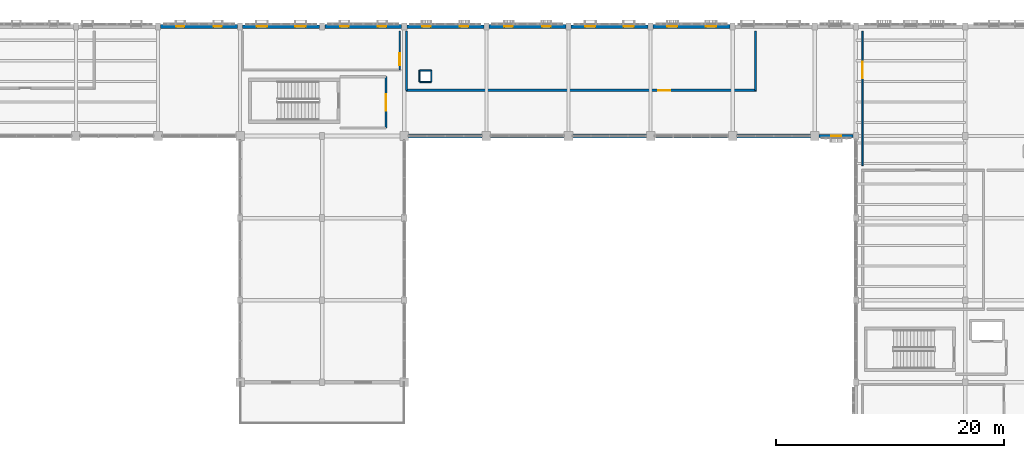
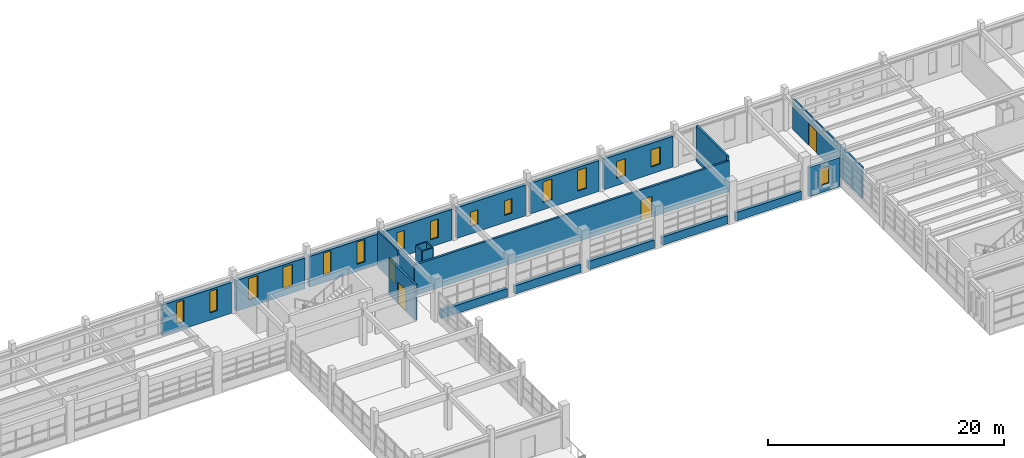
# One storey, part 47 of 69: 23 walls, 15 windows, 4 doors, 19 openings.
"""IFC4 building model written with IfcOpenShell, lengths in metres."""

from ifc_helpers import new_model, si_unit, direction, frame, frame_2d, origin, place, context, subcontext, project, spatial, rectangle, extrude, material, layer, layer_set, type_object, element, fill, save


model = new_model("IFC4")

# Units and contexts
model_context = context("Model", 3, precision=1e-05, world=origin(), true_north=direction((0.0, 1.0)))
body_context = subcontext(model_context, "Body", "Model", "MODEL_VIEW")
ifc_project = project(units=[si_unit("LENGTHUNIT", "METRE"), si_unit("AREAUNIT", "SQUARE_METRE"), si_unit("VOLUMEUNIT", "CUBIC_METRE"), si_unit("PLANEANGLEUNIT", "RADIAN"), si_unit("MASSUNIT", "GRAM", prefix="KILO")], contexts=[model_context])

# Site, building, storey
site_placement = place(None, origin())
site = spatial("IfcSite", under=ifc_project, at=site_placement, CompositionType="ELEMENT")
building_placement = place(site_placement, origin())
building = spatial("IfcBuilding", under=site, at=building_placement, Name="Nzembalo Square Collegiate School", CompositionType="ELEMENT")
storey_placement = place(building_placement, frame((0.0, 0.0, 5.10009765625)))
storey = spatial("IfcBuildingStorey", under=building, at=storey_placement, Name="L01", CompositionType="ELEMENT", Elevation=5.10009765625)

# Wall, openings, windows
ifc_material_1 = material(Name="Concrete C35/45", Category="concrete")
ifc_layer_1 = layer(ifc_material_1, 0.320068359375, Name="Concrete C35/45")
ifc_layer_set_1 = layer_set([ifc_layer_1], Name="Concrete C35/45")
wall_type_1 = type_object("IfcWallType", Name="W03", PredefinedType="SOLIDWALL", material=ifc_layer_set_1)
wall_1_placement = place(storey_placement, frame((69.826904296875, 114.0, 0.0), z_axis=(0.0, 0.0, 1.0), x_axis=(1.0, 0.0, 0.0)))
wall_1 = element("IfcWall", 1, at=wall_1_placement, inside=storey, type_object=wall_type_1, Name="Exterior wall W03 L01", PredefinedType="SOLIDWALL", context=body_context, shape_type="SweptSolid", body=[
    extrude(rectangle(XDim=6.74609375, YDim=0.320068359375, at=frame_2d((3.373046875, 0.0))), origin(), (0.0, 0.0, 1.0), 3.183837890625),
])
opening_1_placement = place(wall_1_placement, frame((1.366455078125, 0.0, 0.75)))
opening_1 = element("IfcOpeningElement", 2, at=opening_1_placement, cuts=wall_1, Name="Opening WN-L01-288", PredefinedType="OPENING", context=body_context, shape_type="SweptSolid", body=[
    extrude(rectangle(XDim=0.719970703125, YDim=2.239990234375, at=frame_2d((0.35986328125, 1.1201171875))), frame((0.0, 0.169921875, 0.0), z_axis=(0.0, -1.0, 0.0), x_axis=(1.0, 0.0, 0.0)), (0.0, 0.0, 1.0), 0.340087890625),
])
opening_2_placement = place(wall_1_placement, frame((4.659423828125, 0.0, 0.75)))
opening_2 = element("IfcOpeningElement", 3, at=opening_2_placement, cuts=wall_1, Name="Opening WN-L01-289", PredefinedType="OPENING", context=body_context, shape_type="SweptSolid", body=[
    extrude(rectangle(XDim=0.719970703125, YDim=2.239990234375, at=frame_2d((0.35986328125, 1.1201171875))), frame((0.0, 0.169921875, 0.0), z_axis=(0.0, -1.0, 0.0), x_axis=(1.0, 0.0, 0.0)), (0.0, 0.0, 1.0), 0.340087890625),
])
ifc_material_2 = material(Name="Powder-coated aluminium and low-E double glazing", Category="aluminium")
window_type_1 = type_object("IfcWindowType", Name="WN67", PartitioningType="SINGLE_PANEL", PredefinedType="WINDOW", material=ifc_material_2)
window_1_placement = place(opening_1_placement, origin())
window_1 = element("IfcWindow", 4, at=window_1_placement, inside=storey, type_object=window_type_1, Name="Lancet window WN-L01-288", OverallHeight=2.239990234375, OverallWidth=0.719970703125, PartitioningType="SINGLE_PANEL", PredefinedType="WINDOW", context=body_context, shape_type="SweptSolid", body=[
    extrude(rectangle(XDim=0.719970703125, YDim=2.239990234375, at=frame_2d((0.35986328125, 1.1201171875))), frame((0.0, 0.030029296875, 0.0), z_axis=(0.0, -1.0, 0.0), x_axis=(1.0, 0.0, 0.0)), (0.0, 0.0, 1.0), 0.06005859375),
])
fill(opening_1, window_1)
window_2_placement = place(opening_2_placement, origin())
window_2 = element("IfcWindow", 5, at=window_2_placement, inside=storey, type_object=window_type_1, Name="Lancet window WN-L01-289", OverallHeight=2.239990234375, OverallWidth=0.719970703125, PartitioningType="SINGLE_PANEL", PredefinedType="WINDOW", context=body_context, shape_type="SweptSolid", body=[
    extrude(rectangle(XDim=0.719970703125, YDim=2.239990234375, at=frame_2d((0.35986328125, 1.1201171875))), frame((0.0, 0.030029296875, 0.0), z_axis=(0.0, -1.0, 0.0), x_axis=(1.0, 0.0, 0.0)), (0.0, 0.0, 1.0), 0.06005859375),
])
fill(opening_2, window_2)

wall_2_placement = place(storey_placement, frame((84.22705078125, 114.0, 0.0), z_axis=(0.0, 0.0, 1.0), x_axis=(1.0, 0.0, 0.0)))
wall_2 = element("IfcWall", 6, at=wall_2_placement, inside=storey, type_object=wall_type_1, Name="Exterior wall W03 L01", PredefinedType="SOLIDWALL", context=body_context, shape_type="SweptSolid", body=[
    extrude(rectangle(XDim=6.745849609375, YDim=0.320068359375, at=frame_2d((3.373046875, 0.0))), origin(), (0.0, 0.0, 1.0), 3.183837890625),
])
opening_3_placement = place(wall_2_placement, frame((1.343994140625, 0.0, 0.75)))
opening_3 = element("IfcOpeningElement", 7, at=opening_3_placement, cuts=wall_2, Name="Opening WN-L01-296", PredefinedType="OPENING", context=body_context, shape_type="SweptSolid", body=[
    extrude(rectangle(XDim=0.75, YDim=2.300048828125, at=frame_2d((0.375, 1.14990234375))), frame((0.0, 0.169921875, 0.0), z_axis=(0.0, -1.0, 0.0), x_axis=(1.0, 0.0, 0.0)), (0.0, 0.0, 1.0), 0.340087890625),
])
opening_4_placement = place(wall_2_placement, frame((4.652099609375, 0.0, 0.75)))
opening_4 = element("IfcOpeningElement", 8, at=opening_4_placement, cuts=wall_2, Name="Opening WN-L01-297", PredefinedType="OPENING", context=body_context, shape_type="SweptSolid", body=[
    extrude(rectangle(XDim=0.75, YDim=2.300048828125, at=frame_2d((0.375, 1.14990234375))), frame((0.0, 0.169921875, 0.0), z_axis=(0.0, -1.0, 0.0), x_axis=(1.0, 0.0, 0.0)), (0.0, 0.0, 1.0), 0.340087890625),
])
ifc_material_3 = material(Name="Powder-coated aluminium and low-E double glazing", Category="aluminium")
window_type_2 = type_object("IfcWindowType", Name="WN01", PartitioningType="SINGLE_PANEL", PredefinedType="WINDOW", material=ifc_material_3)
window_3_placement = place(opening_3_placement, origin())
window_3 = element("IfcWindow", 9, at=window_3_placement, inside=storey, type_object=window_type_2, Name="Lancet window WN-L01-296", OverallHeight=2.300048828125, OverallWidth=0.75, PartitioningType="SINGLE_PANEL", PredefinedType="WINDOW", context=body_context, shape_type="SweptSolid", body=[
    extrude(rectangle(XDim=0.75, YDim=2.300048828125, at=frame_2d((0.375, 1.14990234375))), frame((0.0, 0.030029296875, 0.0), z_axis=(0.0, -1.0, 0.0), x_axis=(1.0, 0.0, 0.0)), (0.0, 0.0, 1.0), 0.06005859375),
])
fill(opening_3, window_3)
window_4_placement = place(opening_4_placement, origin())
window_4 = element("IfcWindow", 10, at=window_4_placement, inside=storey, type_object=window_type_2, Name="Lancet window WN-L01-297", OverallHeight=2.300048828125, OverallWidth=0.75, PartitioningType="SINGLE_PANEL", PredefinedType="WINDOW", context=body_context, shape_type="SweptSolid", body=[
    extrude(rectangle(XDim=0.75, YDim=2.300048828125, at=frame_2d((0.375, 1.14990234375))), frame((0.0, 0.030029296875, 0.0), z_axis=(0.0, -1.0, 0.0), x_axis=(1.0, 0.0, 0.0)), (0.0, 0.0, 1.0), 0.06005859375),
])
fill(opening_4, window_4)

wall_3_placement = place(storey_placement, frame((98.626953125, 114.0, 0.0), z_axis=(0.0, 0.0, 1.0), x_axis=(1.0, 0.0, 0.0)))
wall_3 = element("IfcWall", 11, at=wall_3_placement, inside=storey, type_object=wall_type_1, Name="Exterior wall W03 L01", PredefinedType="SOLIDWALL", context=body_context, shape_type="SweptSolid", body=[
    extrude(rectangle(XDim=6.74609375, YDim=0.320068359375, at=frame_2d((3.373046875, 0.0))), origin(), (0.0, 0.0, 1.0), 3.183837890625),
])
opening_5_placement = place(wall_3_placement, frame((1.343994140625, 0.0, 0.75)))
opening_5 = element("IfcOpeningElement", 12, at=opening_5_placement, cuts=wall_3, Name="Opening WN-L01-300", PredefinedType="OPENING", context=body_context, shape_type="SweptSolid", body=[
    extrude(rectangle(XDim=0.75, YDim=1.5, at=frame_2d((0.375, 0.75))), frame((0.0, 0.169921875, 0.0), z_axis=(0.0, -1.0, 0.0), x_axis=(1.0, 0.0, 0.0)), (0.0, 0.0, 1.0), 0.340087890625),
])
opening_6_placement = place(wall_3_placement, frame((4.652099609375, 0.0, 0.75)))
opening_6 = element("IfcOpeningElement", 13, at=opening_6_placement, cuts=wall_3, Name="Opening WN-L01-301", PredefinedType="OPENING", context=body_context, shape_type="SweptSolid", body=[
    extrude(rectangle(XDim=0.75, YDim=1.5, at=frame_2d((0.375, 0.75))), frame((0.0, 0.169921875, 0.0), z_axis=(0.0, -1.0, 0.0), x_axis=(1.0, 0.0, 0.0)), (0.0, 0.0, 1.0), 0.340087890625),
])
ifc_material_4 = material(Name="Powder-coated aluminium and low-E double glazing", Category="aluminium")
window_type_3 = type_object("IfcWindowType", Name="WN05", PartitioningType="SINGLE_PANEL", PredefinedType="WINDOW", material=ifc_material_4)
window_5_placement = place(opening_5_placement, origin())
window_5 = element("IfcWindow", 14, at=window_5_placement, inside=storey, type_object=window_type_3, Name="Lancet window WN-L01-300", OverallHeight=1.5, OverallWidth=0.75, PartitioningType="SINGLE_PANEL", PredefinedType="WINDOW", context=body_context, shape_type="SweptSolid", body=[
    extrude(rectangle(XDim=0.75, YDim=1.5, at=frame_2d((0.375, 0.75))), frame((0.0, 0.030029296875, 0.0), z_axis=(0.0, -1.0, 0.0), x_axis=(1.0, 0.0, 0.0)), (0.0, 0.0, 1.0), 0.06005859375),
])
fill(opening_5, window_5)
window_6_placement = place(opening_6_placement, origin())
window_6 = element("IfcWindow", 15, at=window_6_placement, inside=storey, type_object=window_type_3, Name="Lancet window WN-L01-301", OverallHeight=1.5, OverallWidth=0.75, PartitioningType="SINGLE_PANEL", PredefinedType="WINDOW", context=body_context, shape_type="SweptSolid", body=[
    extrude(rectangle(XDim=0.75, YDim=1.5, at=frame_2d((0.375, 0.75))), frame((0.0, 0.030029296875, 0.0), z_axis=(0.0, -1.0, 0.0), x_axis=(1.0, 0.0, 0.0)), (0.0, 0.0, 1.0), 0.06005859375),
])
fill(opening_6, window_6)

wall_4_placement = place(storey_placement, frame((113.027099609375, 114.0, 0.0), z_axis=(0.0, 0.0, 1.0), x_axis=(1.0, 0.0, 0.0)))
wall_4 = element("IfcWall", 16, at=wall_4_placement, inside=storey, type_object=wall_type_1, Name="Exterior wall W03 L01", PredefinedType="SOLIDWALL", context=body_context, shape_type="SweptSolid", body=[
    extrude(rectangle(XDim=6.745849609375, YDim=0.320068359375, at=frame_2d((3.373046875, 0.0))), origin(), (0.0, 0.0, 1.0), 3.183837890625),
])
opening_7_placement = place(wall_4_placement, frame((1.2314453125, 0.0, 0.75)))
opening_7 = element("IfcOpeningElement", 17, at=opening_7_placement, cuts=wall_4, Name="Opening WN-L01-304", PredefinedType="OPENING", context=body_context, shape_type="SweptSolid", body=[
    extrude(rectangle(XDim=0.89990234375, YDim=1.75, at=frame_2d((0.449951171875, 0.875))), frame((0.0, 0.169921875, 0.0), z_axis=(0.0, -1.0, 0.0), x_axis=(1.0, 0.0, 0.0)), (0.0, 0.0, 1.0), 0.340087890625),
])
opening_8_placement = place(wall_4_placement, frame((4.614501953125, 0.0, 0.75)))
opening_8 = element("IfcOpeningElement", 18, at=opening_8_placement, cuts=wall_4, Name="Opening WN-L01-305", PredefinedType="OPENING", context=body_context, shape_type="SweptSolid", body=[
    extrude(rectangle(XDim=0.89990234375, YDim=1.75, at=frame_2d((0.449951171875, 0.875))), frame((0.0, 0.169921875, 0.0), z_axis=(0.0, -1.0, 0.0), x_axis=(1.0, 0.0, 0.0)), (0.0, 0.0, 1.0), 0.340087890625),
])
ifc_material_5 = material(Name="Powder-coated aluminium and low-E double glazing", Category="aluminium")
window_type_4 = type_object("IfcWindowType", Name="WN09", PartitioningType="SINGLE_PANEL", PredefinedType="WINDOW", material=ifc_material_5)
window_7_placement = place(opening_7_placement, origin())
window_7 = element("IfcWindow", 19, at=window_7_placement, inside=storey, type_object=window_type_4, Name="Lancet window WN-L01-304", OverallHeight=1.75, OverallWidth=0.89990234375, PartitioningType="SINGLE_PANEL", PredefinedType="WINDOW", context=body_context, shape_type="SweptSolid", body=[
    extrude(rectangle(XDim=0.89990234375, YDim=1.75, at=frame_2d((0.449951171875, 0.875))), frame((0.0, 0.030029296875, 0.0), z_axis=(0.0, -1.0, 0.0), x_axis=(1.0, 0.0, 0.0)), (0.0, 0.0, 1.0), 0.06005859375),
])
fill(opening_7, window_7)
window_8_placement = place(opening_8_placement, origin())
window_8 = element("IfcWindow", 20, at=window_8_placement, inside=storey, type_object=window_type_4, Name="Lancet window WN-L01-305", OverallHeight=1.75, OverallWidth=0.89990234375, PartitioningType="SINGLE_PANEL", PredefinedType="WINDOW", context=body_context, shape_type="SweptSolid", body=[
    extrude(rectangle(XDim=0.89990234375, YDim=1.75, at=frame_2d((0.449951171875, 0.875))), frame((0.0, 0.030029296875, 0.0), z_axis=(0.0, -1.0, 0.0), x_axis=(1.0, 0.0, 0.0)), (0.0, 0.0, 1.0), 0.06005859375),
])
fill(opening_8, window_8)

# Walls
for number, where, z_axis, x_axis, name in (
    (21, (91.576904296875, 104.39990234375, 0.0), (0.0, 0.0, 1.0), (1.0, 0.0, 0.0), "Spandrel wall W03 L01"),
    (22, (105.97705078125, 104.39990234375, 0.0), (0.0, 0.0, 1.0), (1.0, 0.0, 0.0), "Spandrel wall W03 L01"),
    (23, (120.376953125, 104.39990234375, 0.0), (0.0, 0.0, 1.0), (1.0, 0.0, 0.0), "Spandrel wall W03 L01"),
):
    element("IfcWall", number, at=place(storey_placement, frame(where, z_axis=z_axis, x_axis=x_axis)), inside=storey, type_object=wall_type_1, Name=name, PredefinedType="SOLIDWALL", context=body_context, shape_type="SweptSolid", body=[
        extrude(rectangle(XDim=6.446044921875, YDim=0.320068359375, at=frame_2d((3.22314453125, 0.0))), origin(), (0.0, 0.0, 1.0), 0.849853515625),
    ])

# Wall, openings, windows
ifc_material_6 = material(Name="Concrete C35/45", Category="concrete")
ifc_layer_2 = layer(ifc_material_6, 0.300048828125, Name="Concrete C35/45")
ifc_layer_set_2 = layer_set([ifc_layer_2], Name="Concrete C35/45")
wall_type_2 = type_object("IfcWallType", Name="W04", PredefinedType="SOLIDWALL", material=ifc_layer_set_2)
wall_5_placement = place(storey_placement, frame((77.027099609375, 114.0, 0.0), z_axis=(0.0, 0.0, 1.0), x_axis=(1.0, 0.0, 0.0)))
wall_5 = element("IfcWall", 24, at=wall_5_placement, inside=storey, type_object=wall_type_2, Name="Exterior wall W04 L01", PredefinedType="SOLIDWALL", context=body_context, shape_type="SweptSolid", body=[
    extrude(rectangle(XDim=6.745849609375, YDim=0.300048828125, at=frame_2d((3.373046875, 0.0))), origin(), (0.0, 0.0, 1.0), 3.183837890625),
])
opening_9_placement = place(wall_5_placement, frame((1.216552734375, 0.0, 0.75)))
opening_9 = element("IfcOpeningElement", 25, at=opening_9_placement, cuts=wall_5, Name="Opening WN-L01-290", PredefinedType="OPENING", context=body_context, shape_type="SweptSolid", body=[
    extrude(rectangle(XDim=0.919921875, YDim=2.219970703125, at=frame_2d((0.4599609375, 1.10986328125))), frame((0.0, 0.16015625, 0.0), z_axis=(0.0, -1.0, 0.0), x_axis=(1.0, 0.0, 0.0)), (0.0, 0.0, 1.0), 0.320068359375),
])
opening_10_placement = place(wall_5_placement, frame((4.609619140625, 0.0, 0.75)))
opening_10 = element("IfcOpeningElement", 26, at=opening_10_placement, cuts=wall_5, Name="Opening WN-L01-291", PredefinedType="OPENING", context=body_context, shape_type="SweptSolid", body=[
    extrude(rectangle(XDim=0.919921875, YDim=2.219970703125, at=frame_2d((0.4599609375, 1.10986328125))), frame((0.0, 0.16015625, 0.0), z_axis=(0.0, -1.0, 0.0), x_axis=(1.0, 0.0, 0.0)), (0.0, 0.0, 1.0), 0.320068359375),
])
ifc_material_7 = material(Name="Powder-coated aluminium and low-E double glazing", Category="aluminium")
window_type_5 = type_object("IfcWindowType", Name="WN69", PartitioningType="SINGLE_PANEL", PredefinedType="WINDOW", material=ifc_material_7)
window_9_placement = place(opening_9_placement, origin())
window_9 = element("IfcWindow", 27, at=window_9_placement, inside=storey, type_object=window_type_5, Name="Lancet window WN-L01-290", OverallHeight=2.219970703125, OverallWidth=0.919921875, PartitioningType="SINGLE_PANEL", PredefinedType="WINDOW", context=body_context, shape_type="SweptSolid", body=[
    extrude(rectangle(XDim=0.919921875, YDim=2.219970703125, at=frame_2d((0.4599609375, 1.10986328125))), frame((0.0, 0.030029296875, 0.0), z_axis=(0.0, -1.0, 0.0), x_axis=(1.0, 0.0, 0.0)), (0.0, 0.0, 1.0), 0.06005859375),
])
fill(opening_9, window_9)
window_10_placement = place(opening_10_placement, origin())
window_10 = element("IfcWindow", 28, at=window_10_placement, inside=storey, type_object=window_type_5, Name="Lancet window WN-L01-291", OverallHeight=2.219970703125, OverallWidth=0.919921875, PartitioningType="SINGLE_PANEL", PredefinedType="WINDOW", context=body_context, shape_type="SweptSolid", body=[
    extrude(rectangle(XDim=0.919921875, YDim=2.219970703125, at=frame_2d((0.4599609375, 1.10986328125))), frame((0.0, 0.030029296875, 0.0), z_axis=(0.0, -1.0, 0.0), x_axis=(1.0, 0.0, 0.0)), (0.0, 0.0, 1.0), 0.06005859375),
])
fill(opening_10, window_10)

wall_6_placement = place(storey_placement, frame((91.427001953125, 114.0, 0.0), z_axis=(0.0, 0.0, 1.0), x_axis=(1.0, 0.0, 0.0)))
wall_6 = element("IfcWall", 29, at=wall_6_placement, inside=storey, type_object=wall_type_2, Name="Exterior wall W04 L01", PredefinedType="SOLIDWALL", context=body_context, shape_type="SweptSolid", body=[
    extrude(rectangle(XDim=6.74609375, YDim=0.300048828125, at=frame_2d((3.373046875, 0.0))), origin(), (0.0, 0.0, 1.0), 3.183837890625),
])
opening_11_placement = place(wall_6_placement, frame((1.343994140625, 0.0, 0.75)))
opening_11 = element("IfcOpeningElement", 30, at=opening_11_placement, cuts=wall_6, Name="Opening WN-L01-298", PredefinedType="OPENING", context=body_context, shape_type="SweptSolid", body=[
    extrude(rectangle(XDim=0.75, YDim=1.89990234375, at=frame_2d((0.375, 0.949951171875))), frame((0.0, 0.16015625, 0.0), z_axis=(0.0, -1.0, 0.0), x_axis=(1.0, 0.0, 0.0)), (0.0, 0.0, 1.0), 0.320068359375),
])
opening_12_placement = place(wall_6_placement, frame((4.652099609375, 0.0, 0.75)))
opening_12 = element("IfcOpeningElement", 31, at=opening_12_placement, cuts=wall_6, Name="Opening WN-L01-299", PredefinedType="OPENING", context=body_context, shape_type="SweptSolid", body=[
    extrude(rectangle(XDim=0.75, YDim=1.89990234375, at=frame_2d((0.375, 0.949951171875))), frame((0.0, 0.16015625, 0.0), z_axis=(0.0, -1.0, 0.0), x_axis=(1.0, 0.0, 0.0)), (0.0, 0.0, 1.0), 0.320068359375),
])
ifc_material_8 = material(Name="Powder-coated aluminium and low-E double glazing", Category="aluminium")
window_type_6 = type_object("IfcWindowType", Name="WN03", PartitioningType="SINGLE_PANEL", PredefinedType="WINDOW", material=ifc_material_8)
window_11_placement = place(opening_11_placement, origin())
window_11 = element("IfcWindow", 32, at=window_11_placement, inside=storey, type_object=window_type_6, Name="Lancet window WN-L01-298", OverallHeight=1.89990234375, OverallWidth=0.75, PartitioningType="SINGLE_PANEL", PredefinedType="WINDOW", context=body_context, shape_type="SweptSolid", body=[
    extrude(rectangle(XDim=0.75, YDim=1.89990234375, at=frame_2d((0.375, 0.949951171875))), frame((0.0, 0.030029296875, 0.0), z_axis=(0.0, -1.0, 0.0), x_axis=(1.0, 0.0, 0.0)), (0.0, 0.0, 1.0), 0.06005859375),
])
fill(opening_11, window_11)
window_12_placement = place(opening_12_placement, origin())
window_12 = element("IfcWindow", 33, at=window_12_placement, inside=storey, type_object=window_type_6, Name="Lancet window WN-L01-299", OverallHeight=1.89990234375, OverallWidth=0.75, PartitioningType="SINGLE_PANEL", PredefinedType="WINDOW", context=body_context, shape_type="SweptSolid", body=[
    extrude(rectangle(XDim=0.75, YDim=1.89990234375, at=frame_2d((0.375, 0.949951171875))), frame((0.0, 0.030029296875, 0.0), z_axis=(0.0, -1.0, 0.0), x_axis=(1.0, 0.0, 0.0)), (0.0, 0.0, 1.0), 0.06005859375),
])
fill(opening_12, window_12)

wall_7_placement = place(storey_placement, frame((105.826904296875, 114.0, 0.0), z_axis=(0.0, 0.0, 1.0), x_axis=(1.0, 0.0, 0.0)))
wall_7 = element("IfcWall", 34, at=wall_7_placement, inside=storey, type_object=wall_type_2, Name="Exterior wall W04 L01", PredefinedType="SOLIDWALL", context=body_context, shape_type="SweptSolid", body=[
    extrude(rectangle(XDim=6.74609375, YDim=0.300048828125, at=frame_2d((3.373046875, 0.0))), origin(), (0.0, 0.0, 1.0), 3.183837890625),
])
opening_13_placement = place(wall_7_placement, frame((1.2314453125, 0.0, 0.75)))
opening_13 = element("IfcOpeningElement", 35, at=opening_13_placement, cuts=wall_7, Name="Opening WN-L01-302", PredefinedType="OPENING", context=body_context, shape_type="SweptSolid", body=[
    extrude(rectangle(XDim=0.89990234375, YDim=2.14990234375, at=frame_2d((0.449951171875, 1.074951171875))), frame((0.0, 0.16015625, 0.0), z_axis=(0.0, -1.0, 0.0), x_axis=(1.0, 0.0, 0.0)), (0.0, 0.0, 1.0), 0.320068359375),
])
opening_14_placement = place(wall_7_placement, frame((4.614501953125, 0.0, 0.75)))
opening_14 = element("IfcOpeningElement", 36, at=opening_14_placement, cuts=wall_7, Name="Opening WN-L01-303", PredefinedType="OPENING", context=body_context, shape_type="SweptSolid", body=[
    extrude(rectangle(XDim=0.89990234375, YDim=2.14990234375, at=frame_2d((0.449951171875, 1.074951171875))), frame((0.0, 0.16015625, 0.0), z_axis=(0.0, -1.0, 0.0), x_axis=(1.0, 0.0, 0.0)), (0.0, 0.0, 1.0), 0.320068359375),
])
ifc_material_9 = material(Name="Powder-coated aluminium and low-E double glazing", Category="aluminium")
window_type_7 = type_object("IfcWindowType", Name="WN07", PartitioningType="SINGLE_PANEL", PredefinedType="WINDOW", material=ifc_material_9)
window_13_placement = place(opening_13_placement, origin())
window_13 = element("IfcWindow", 37, at=window_13_placement, inside=storey, type_object=window_type_7, Name="Lancet window WN-L01-302", OverallHeight=2.14990234375, OverallWidth=0.89990234375, PartitioningType="SINGLE_PANEL", PredefinedType="WINDOW", context=body_context, shape_type="SweptSolid", body=[
    extrude(rectangle(XDim=0.89990234375, YDim=2.14990234375, at=frame_2d((0.449951171875, 1.074951171875))), frame((0.0, 0.030029296875, 0.0), z_axis=(0.0, -1.0, 0.0), x_axis=(1.0, 0.0, 0.0)), (0.0, 0.0, 1.0), 0.06005859375),
])
fill(opening_13, window_13)
window_14_placement = place(opening_14_placement, origin())
window_14 = element("IfcWindow", 38, at=window_14_placement, inside=storey, type_object=window_type_7, Name="Lancet window WN-L01-303", OverallHeight=2.14990234375, OverallWidth=0.89990234375, PartitioningType="SINGLE_PANEL", PredefinedType="WINDOW", context=body_context, shape_type="SweptSolid", body=[
    extrude(rectangle(XDim=0.89990234375, YDim=2.14990234375, at=frame_2d((0.449951171875, 1.074951171875))), frame((0.0, 0.030029296875, 0.0), z_axis=(0.0, -1.0, 0.0), x_axis=(1.0, 0.0, 0.0)), (0.0, 0.0, 1.0), 0.06005859375),
])
fill(opening_14, window_14)

# Walls
wall_8_placement = place(storey_placement, frame((98.777099609375, 104.39990234375, 0.0), z_axis=(0.0, 0.0, 1.0), x_axis=(1.0, 0.0, 0.0)))
element("IfcWall", 39, at=wall_8_placement, inside=storey, type_object=wall_type_2, Name="Spandrel wall W04 L01", PredefinedType="SOLIDWALL", context=body_context, shape_type="SweptSolid", body=[
    extrude(rectangle(XDim=6.44580078125, YDim=0.300048828125, at=frame_2d((3.222900390625, 0.0))), origin(), (0.0, 0.0, 1.0), 0.849853515625),
])
wall_9_placement = place(storey_placement, frame((113.177001953125, 104.39990234375, 0.0), z_axis=(0.0, 0.0, 1.0), x_axis=(1.0, 0.0, 0.0)))
element("IfcWall", 40, at=wall_9_placement, inside=storey, type_object=wall_type_2, Name="Spandrel wall W04 L01", PredefinedType="SOLIDWALL", context=body_context, shape_type="SweptSolid", body=[
    extrude(rectangle(XDim=6.446044921875, YDim=0.300048828125, at=frame_2d((3.22314453125, 0.0))), origin(), (0.0, 0.0, 1.0), 0.849853515625),
])

# Wall, opening, window
wall_10_placement = place(storey_placement, frame((127.576904296875, 104.39990234375, 0.0), z_axis=(0.0, 0.0, 1.0), x_axis=(1.0, 0.0, 0.0)))
wall_10 = element("IfcWall", 41, at=wall_10_placement, inside=storey, type_object=wall_type_2, Name="Exterior wall W04 L01", PredefinedType="SOLIDWALL", context=body_context, shape_type="SweptSolid", body=[
    extrude(rectangle(XDim=2.99609375, YDim=0.300048828125, at=frame_2d((1.498046875, 0.0))), origin(), (0.0, 0.0, 1.0), 3.02392578125),
])
opening_15_placement = place(wall_10_placement, frame((1.048095703125, 0.0, 0.75)))
opening_15 = element("IfcOpeningElement", 42, at=opening_15_placement, cuts=wall_10, Name="Opening WN-L01-378", PredefinedType="OPENING", context=body_context, shape_type="SweptSolid", body=[
    extrude(rectangle(XDim=0.89990234375, YDim=1.75, at=frame_2d((0.449951171875, 0.875))), frame((0.0, 0.16015625, 0.0), z_axis=(0.0, -1.0, 0.0), x_axis=(1.0, 0.0, 0.0)), (0.0, 0.0, 1.0), 0.320068359375),
])
window_15_placement = place(opening_15_placement, origin())
window_15 = element("IfcWindow", 43, at=window_15_placement, inside=storey, type_object=window_type_4, Name="Lancet window WN-L01-378", OverallHeight=1.75, OverallWidth=0.89990234375, PartitioningType="SINGLE_PANEL", PredefinedType="WINDOW", context=body_context, shape_type="SweptSolid", body=[
    extrude(rectangle(XDim=0.89990234375, YDim=1.75, at=frame_2d((0.449951171875, 0.875))), frame((0.0, 0.030029296875, 0.0), z_axis=(0.0, -1.0, 0.0), x_axis=(1.0, 0.0, 0.0)), (0.0, 0.0, 1.0), 0.06005859375),
])
fill(opening_15, window_15)

# Wall, opening, door
ifc_material_10 = material(Name="Concrete blockwork C25/30", Category="masonry")
ifc_layer_3 = layer(ifc_material_10, 0.199951171875, Name="Concrete blockwork C25/30")
ifc_layer_set_3 = layer_set([ifc_layer_3], Name="Concrete blockwork C25/30")
wall_type_3 = type_object("IfcWallType", Name="W11", PredefinedType="PARTITIONING", material=ifc_layer_set_3)
wall_11_placement = place(storey_placement, frame((89.60009765625, 105.10009765625, 0.0), z_axis=(0.0, 0.0, 1.0), x_axis=(0.0, 1.0, 0.0)))
wall_11 = element("IfcWall", 44, at=wall_11_placement, inside=storey, type_object=wall_type_3, Name="Core C3 EI 60 lobby wall E L01", PredefinedType="PARTITIONING", context=body_context, shape_type="SweptSolid", body=[
    extrude(rectangle(XDim=4.5, YDim=0.199951171875, at=frame_2d((2.25, 0.0))), origin(), (0.0, 0.0, 1.0), 3.69384765625),
])
opening_16_placement = place(wall_11_placement, frame((1.52490234375, 0.0, 0.0)))
opening_16 = element("IfcOpeningElement", 45, at=opening_16_placement, cuts=wall_11, Name="Opening FD-026", PredefinedType="OPENING", context=body_context, shape_type="SweptSolid", body=[
    extrude(rectangle(XDim=1.449951171875, YDim=2.199951171875, at=frame_2d((0.72509765625, 1.10009765625))), frame((0.0, 0.10986328125, 0.0), z_axis=(0.0, -1.0, 0.0), x_axis=(1.0, 0.0, 0.0)), (0.0, 0.0, 1.0), 0.219970703125),
])
ifc_material_11 = material(Name="Fire-rated double lobby door")
door_type_1 = type_object("IfcDoorType", Name="FD02", OperationType="DOUBLE_DOOR_SINGLE_SWING", PredefinedType="DOOR", material=ifc_material_11)
door_1_placement = place(opening_16_placement, frame((1.449951171875, 0.0, 0.0), z_axis=(0.0, 0.0, 1.0), x_axis=(-1.0, 0.0, 0.0)))
door_1 = element("IfcDoor", 46, at=door_1_placement, inside=storey, type_object=door_type_1, Name="Protected lobby fire door FD-026", OperationType="DOUBLE_DOOR_SINGLE_SWING", OverallHeight=2.199951171875, OverallWidth=1.449951171875, PredefinedType="DOOR", context=body_context, shape_type="SweptSolid", body=[
    extrude(rectangle(XDim=1.449951171875, YDim=2.199951171875, at=frame_2d((0.72509765625, 1.10009765625))), frame((0.0, 0.02490234375, 0.0), z_axis=(0.0, -1.0, 0.0), x_axis=(1.0, 0.0, 0.0)), (0.0, 0.0, 1.0), 0.050048828125),
])
fill(opening_16, door_1)

ifc_material_12 = material(Name="Gypsum plasterboard stud")
ifc_layer_4 = layer(ifc_material_12, 0.139892578125, Name="Gypsum plasterboard stud")
ifc_layer_set_4 = layer_set([ifc_layer_4], Name="Gypsum plasterboard stud")
wall_type_4 = type_object("IfcWallType", Name="W18", PredefinedType="PARTITIONING", material=ifc_layer_set_4)
wall_12_placement = place(storey_placement, frame((90.800048828125, 110.199951171875, 0.0), z_axis=(0.0, 0.0, 1.0), x_axis=(0.0, 1.0, 0.0)))
wall_12 = element("IfcWall", 47, at=wall_12_placement, inside=storey, type_object=wall_type_4, Name="Interior partition W18 L01-031-E", PredefinedType="PARTITIONING", context=body_context, shape_type="SweptSolid", body=[
    extrude(rectangle(XDim=3.400146484375, YDim=0.139892578125, at=frame_2d((1.7001953125, 0.0))), origin(), (0.0, 0.0, 1.0), 3.69384765625),
])
opening_17_placement = place(wall_12_placement, frame((0.39208984375, 0.0, 0.0)))
opening_17 = element("IfcOpeningElement", 48, at=opening_17_placement, cuts=wall_12, Name="Opening D-L01-043", PredefinedType="OPENING", context=body_context, shape_type="SweptSolid", body=[
    extrude(rectangle(XDim=1.080078125, YDim=2.159912109375, at=frame_2d((0.5400390625, 1.080078125))), frame((0.0, 0.080078125, 0.0), z_axis=(0.0, -1.0, 0.0), x_axis=(1.0, 0.0, 0.0)), (0.0, 0.0, 1.0), 0.159912109375),
])
ifc_material_13 = material(Name="Acoustic oak classroom door")
door_type_2 = type_object("IfcDoorType", Name="D13", OperationType="NOTDEFINED", PredefinedType="DOOR", material=ifc_material_13)
door_2_placement = place(opening_17_placement, origin())
door_2 = element("IfcDoor", 49, at=door_2_placement, inside=storey, type_object=door_type_2, Name="Interior door D-L01-043 (Foyer Seminar Room L01)", OperationType="SINGLE_SWING_LEFT", OverallHeight=2.159912109375, OverallWidth=1.080078125, PredefinedType="DOOR", context=body_context, shape_type="SweptSolid", body=[
    extrude(rectangle(XDim=1.080078125, YDim=2.159912109375, at=frame_2d((0.5400390625, 1.080078125))), frame((0.0, 0.02490234375, 0.0), z_axis=(0.0, -1.0, 0.0), x_axis=(1.0, 0.0, 0.0)), (0.0, 0.0, 1.0), 0.050048828125),
])
fill(opening_17, door_2)

ifc_material_14 = material(Name="Cement-board wet-room partition")
ifc_layer_5 = layer(ifc_material_14, 0.135009765625, Name="Cement-board wet-room partition")
ifc_layer_set_5 = layer_set([ifc_layer_5], Name="Cement-board wet-room partition")
wall_type_5 = type_object("IfcWallType", Name="W19", PredefinedType="PARTITIONING", material=ifc_layer_set_5)
wall_13_placement = place(storey_placement, frame((131.39990234375, 101.800048828125, 0.0), z_axis=(0.0, 0.0, 1.0), x_axis=(0.0, 1.0, 0.0)))
wall_13 = element("IfcWall", 50, at=wall_13_placement, inside=storey, type_object=wall_type_5, Name="Interior partition W19 L01-039-W", PredefinedType="PARTITIONING", context=body_context, shape_type="SweptSolid", body=[
    extrude(rectangle(XDim=11.800048828125, YDim=0.135009765625, at=frame_2d((5.89990234375, 0.0))), origin(), (0.0, 0.0, 1.0), 3.243896484375),
])
opening_18_placement = place(wall_13_placement, frame((7.68505859375, 0.0, 0.0)))
opening_18 = element("IfcOpeningElement", 51, at=opening_18_placement, cuts=wall_13, Name="Opening D-L01-046", PredefinedType="OPENING", context=body_context, shape_type="SweptSolid", body=[
    extrude(rectangle(XDim=1.419921875, YDim=2.260009765625, at=frame_2d((0.7099609375, 1.1298828125))), frame((0.0, 0.07763671875, 0.0), z_axis=(0.0, -1.0, 0.0), x_axis=(1.0, 0.0, 0.0)), (0.0, 0.0, 1.0), 0.155029296875),
])
ifc_material_15 = material(Name="Glazed student cafe double door")
door_type_3 = type_object("IfcDoorType", Name="D17", OperationType="DOUBLE_DOOR_SINGLE_SWING", PredefinedType="DOOR", material=ifc_material_15)
door_3_placement = place(opening_18_placement, origin())
door_3 = element("IfcDoor", 52, at=door_3_placement, inside=storey, type_object=door_type_3, Name="Interior door D-L01-046 (Primary Year-Group Classroom 1C)", OperationType="DOUBLE_DOOR_SINGLE_SWING", OverallHeight=2.260009765625, OverallWidth=1.419921875, PredefinedType="DOOR", context=body_context, shape_type="SweptSolid", body=[
    extrude(rectangle(XDim=1.419921875, YDim=2.260009765625, at=frame_2d((0.7099609375, 1.1298828125))), frame((0.0, 0.02490234375, 0.0), z_axis=(0.0, -1.0, 0.0), x_axis=(1.0, 0.0, 0.0)), (0.0, 0.0, 1.0), 0.050048828125),
])
fill(opening_18, door_3)

ifc_material_16 = material(Name="Concrete blockwork C25/30", Category="masonry")
ifc_layer_6 = layer(ifc_material_16, 0.205078125, Name="Concrete blockwork C25/30")
ifc_layer_set_6 = layer_set([ifc_layer_6], Name="Concrete blockwork C25/30")
wall_type_6 = type_object("IfcWallType", Name="W21", PredefinedType="PARTITIONING", material=ifc_layer_set_6)
wall_14_placement = place(storey_placement, frame((91.297607421875, 108.39990234375, 0.0), z_axis=(0.0, 0.0, 1.0), x_axis=(1.0, 0.0, 0.0)))
wall_14 = element("IfcWall", 53, at=wall_14_placement, inside=storey, type_object=wall_type_6, Name="Interior partition W21 L01-032-S", PredefinedType="PARTITIONING", context=body_context, shape_type="SweptSolid", body=[
    extrude(rectangle(XDim=30.804931640625, YDim=0.205078125, at=frame_2d((15.40234375, 0.0))), origin(), (0.0, 0.0, 1.0), 3.183837890625),
])
opening_19_placement = place(wall_14_placement, frame((22.1650390625, 0.0, 0.0)))
opening_19 = element("IfcOpeningElement", 54, at=opening_19_placement, cuts=wall_14, Name="Opening D-L01-044", PredefinedType="OPENING", context=body_context, shape_type="SweptSolid", body=[
    extrude(rectangle(XDim=1.050048828125, YDim=2.14990234375, at=frame_2d((0.52490234375, 1.074951171875))), frame((0.0, 0.112548828125, 0.0), z_axis=(0.0, -1.0, 0.0), x_axis=(1.0, 0.0, 0.0)), (0.0, 0.0, 1.0), 0.22509765625),
])
ifc_material_17 = material(Name="Fire-rated steel store door", Category="steel")
door_type_4 = type_object("IfcDoorType", Name="FD03", OperationType="NOTDEFINED", PredefinedType="DOOR", material=ifc_material_17)
door_4_placement = place(opening_19_placement, origin())
door_4 = element("IfcDoor", 55, at=door_4_placement, inside=storey, type_object=door_type_4, Name="Interior door D-L01-044 (Assembly AV and Performing Arts Gallery)", OperationType="SINGLE_SWING_RIGHT", OverallHeight=2.14990234375, OverallWidth=1.050048828125, PredefinedType="DOOR", context=body_context, shape_type="SweptSolid", body=[
    extrude(rectangle(XDim=1.050048828125, YDim=2.14990234375, at=frame_2d((0.52490234375, 1.074951171875))), frame((0.0, 0.02490234375, 0.0), z_axis=(0.0, -1.0, 0.0), x_axis=(1.0, 0.0, 0.0)), (0.0, 0.0, 1.0), 0.050048828125),
])
fill(opening_19, door_4)

# Walls
wall_15_placement = place(storey_placement, frame((91.39990234375, 108.39990234375, 0.0), z_axis=(0.0, 0.0, 1.0), x_axis=(0.0, 1.0, 0.0)))
element("IfcWall", 56, at=wall_15_placement, inside=storey, type_object=wall_type_6, Name="Interior partition W21 L01-032-W", PredefinedType="PARTITIONING", context=body_context, shape_type="SweptSolid", body=[
    extrude(rectangle(XDim=5.2001953125, YDim=0.205078125, at=frame_2d((2.60009765625, 0.0))), origin(), (0.0, 0.0, 1.0), 3.183837890625),
])
wall_16_placement = place(storey_placement, frame((122.0, 108.39990234375, 0.0), z_axis=(0.0, 0.0, 1.0), x_axis=(0.0, 1.0, 0.0)))
element("IfcWall", 57, at=wall_16_placement, inside=storey, type_object=wall_type_6, Name="Interior partition W21 L01-032-E", PredefinedType="PARTITIONING", context=body_context, shape_type="SweptSolid", body=[
    extrude(rectangle(XDim=5.2001953125, YDim=0.205078125, at=frame_2d((2.60009765625, 0.0))), origin(), (0.0, 0.0, 1.0), 3.69384765625),
])
ifc_material_18 = material(Name="Fire-rated shaftwall stud")
ifc_layer_7 = layer(ifc_material_18, 0.1201171875, Name="Fire-rated shaftwall stud")
ifc_layer_set_7 = layer_set([ifc_layer_7], Name="Fire-rated shaftwall stud")
wall_type_7 = type_object("IfcWallType", Name="W23", PredefinedType="PARTITIONING", material=ifc_layer_set_7)
for number, where, z_axis, x_axis, name in (
    (58, (92.5400390625, 109.139892578125, 0.0), (0.0, 0.0, 1.0), (1.0, 0.0, 0.0), "Service riser shaftwall W23-012-1"),
    (59, (93.56005859375, 109.139892578125, 0.0), (0.0, 0.0, 1.0), (0.0, 1.0, 0.0), "Service riser shaftwall W23-012-2"),
    (60, (93.56005859375, 110.159912109375, 0.0), (0.0, 0.0, 1.0), (-1.0, 0.0, 0.0), "Service riser shaftwall W23-012-3"),
    (61, (92.5400390625, 110.159912109375, 0.0), (0.0, 0.0, 1.0), (0.0, -1.0, 0.0), "Service riser shaftwall W23-012-4"),
):
    element("IfcWall", number, at=place(storey_placement, frame(where, z_axis=z_axis, x_axis=x_axis)), inside=storey, type_object=wall_type_7, Name=name, PredefinedType="PARTITIONING", context=body_context, shape_type="SweptSolid", body=[
        extrude(rectangle(XDim=1.02001953125, YDim=0.1201171875, at=frame_2d((0.510009765625, 0.0))), origin(), (0.0, 0.0, 1.0), 3.69384765625),
    ])

save(model, "model.ifc")
